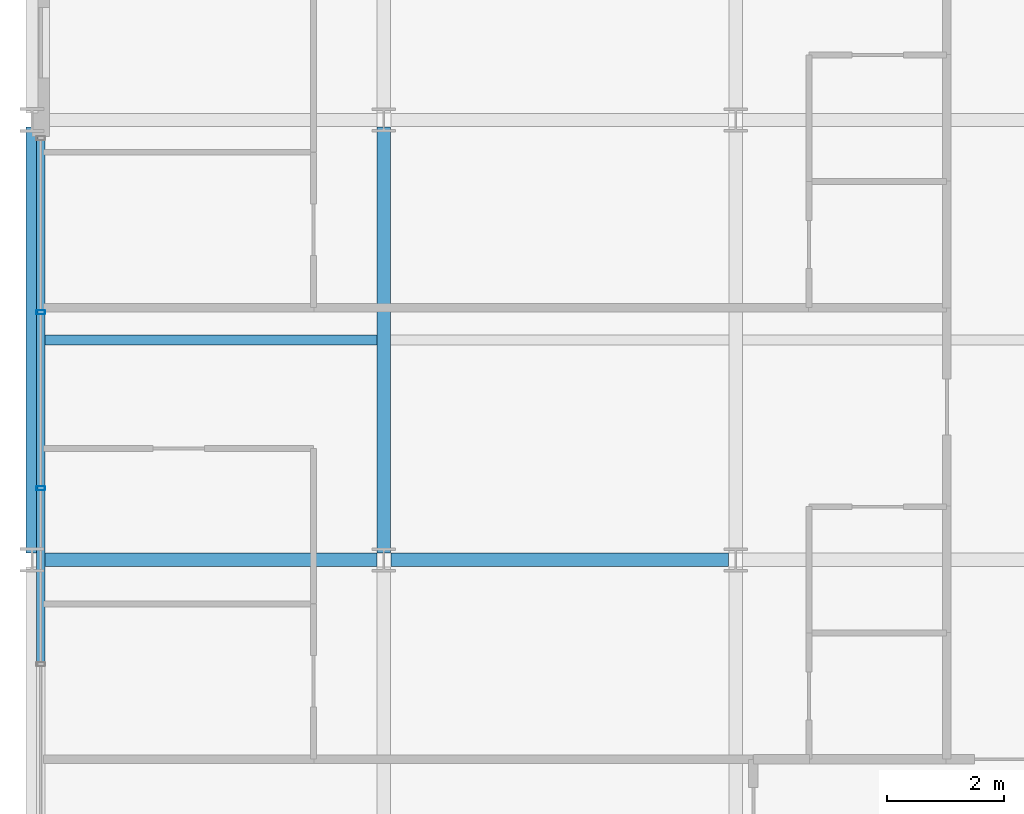
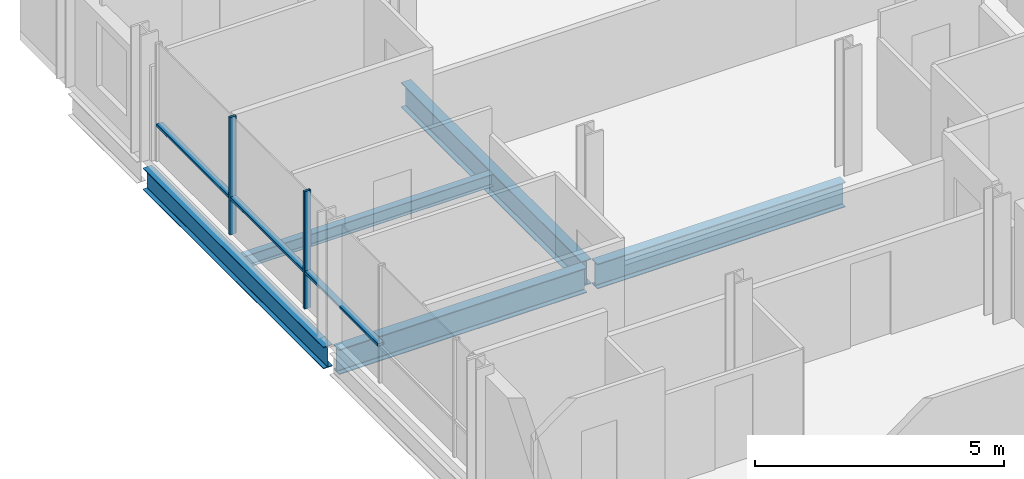
# One storey, part 7 of 41: 5 beams, 5 members, 1 element without a shape of its own.
"""IFC4 building model written with IfcOpenShell, lengths in metres."""

from ifc_helpers import new_model, si_unit, direction, frame, origin, origin_2d, place, context, subcontext, project, spatial, hollow_rectangle, i_section, extrude, material, layer, layer_set, material_profile, profile_set, type_object, element, aggregate, save


model = new_model("IFC4")

# Units and contexts
model_context = context("Model", 3, precision=1e-05, world=origin(), true_north=direction((0.0, 1.0)))
body_context = subcontext(model_context, "Body", "Model", "MODEL_VIEW")
ifc_project = project(units=[si_unit("LENGTHUNIT", "METRE"), si_unit("AREAUNIT", "SQUARE_METRE"), si_unit("VOLUMEUNIT", "CUBIC_METRE"), si_unit("PLANEANGLEUNIT", "RADIAN"), si_unit("MASSUNIT", "GRAM", prefix="KILO")], contexts=[model_context])

# Site, building, storey
site_placement = place(None, origin())
site = spatial("IfcSite", under=ifc_project, at=site_placement, CompositionType="ELEMENT")
building_placement = place(site_placement, origin())
building = spatial("IfcBuilding", under=site, at=building_placement, Name="Brevholm Reach", CompositionType="ELEMENT")
storey_placement = place(building_placement, frame((0.0, 0.0, 138.699951171875)))
storey = spatial("IfcBuildingStorey", under=building, at=storey_placement, Name="L41", CompositionType="ELEMENT", Elevation=138.699951171875)

# Beams
ifc_material_1 = material(Name="Structural Steel S355J2", Category="steel")
ifc_material_profile_1 = material_profile(ifc_material_1, i_section(OverallWidth=0.1650390625, OverallDepth=0.303466796875, WebThickness=0.006103515625, FlangeThickness=0.01025390625, FilletRadius=0.0087890625, at=origin_2d()), Name="UKB 305x165x40")
ifc_profile_set_1 = profile_set([ifc_material_profile_1], Name="Structural Steel S355J2")
beam_type_1 = type_object("IfcBeamType", Name="BM-B305", PredefinedType="BEAM", material=ifc_profile_set_1)
beam_1_placement = place(storey_placement, frame((0.104736328125, 19.75, -0.37158203125), z_axis=(1.0, 0.0, 0.0), x_axis=(0.0, 1.0, 0.0)))
element("IfcBeam", 1, at=beam_1_placement, inside=storey, type_object=beam_type_1, Name="L41 Composite Secondary Floor Beam", PredefinedType="BEAM", context=body_context, shape_type="SweptSolid", body=[
    extrude(i_section(OverallWidth=0.1650390625, OverallDepth=0.303466796875, WebThickness=0.006103515625, FlangeThickness=0.01025390625, FilletRadius=0.0087890625, at=origin_2d()), origin(), (0.0, 0.0, 1.0), 5.78076171875),
])
ifc_material_2 = material(Name="Structural Steel S355J2", Category="steel")
ifc_material_profile_2 = material_profile(ifc_material_2, i_section(OverallWidth=0.209228515625, OverallDepth=0.533203125, WebThickness=0.010009765625, FlangeThickness=0.015625, FilletRadius=0.0126953125, at=origin_2d()), Name="UKB 533x210x92")
ifc_profile_set_2 = profile_set([ifc_material_profile_2], Name="Structural Steel S355J2")
beam_type_2 = type_object("IfcBeamType", Name="BM-SP533", PredefinedType="SPANDREL", material=ifc_profile_set_2)
beam_2_placement = place(storey_placement, frame((0.0, 16.1201171875, -0.486572265625), z_axis=(0.0, 1.0, 0.0), x_axis=(-1.0, 0.0, 0.0)))
element("IfcBeam", 2, at=beam_2_placement, inside=storey, type_object=beam_type_2, Name="L41 SP-02 Framing Beam", PredefinedType="SPANDREL", context=body_context, shape_type="SweptSolid", body=[
    extrude(i_section(OverallWidth=0.209228515625, OverallDepth=0.533203125, WebThickness=0.010009765625, FlangeThickness=0.015625, FilletRadius=0.0126953125, at=origin_2d()), origin(), (0.0, 0.0, 1.0), 7.259765625),
])
ifc_material_3 = material(Name="Structural Steel S355J2", Category="steel")
ifc_material_profile_3 = material_profile(ifc_material_3, i_section(OverallWidth=0.22900390625, OverallDepth=0.6123046875, WebThickness=0.011962890625, FlangeThickness=0.01953125, FilletRadius=0.0126953125, at=origin_2d()), Name="UKB 610x229x125")
ifc_profile_set_3 = profile_set([ifc_material_profile_3], Name="Structural Steel S355J2")
beam_type_3 = type_object("IfcBeamType", Name="BM-SP610", PredefinedType="SPANDREL", material=ifc_profile_set_3)
for number, where, z_axis, x_axis, name in (
    (3, (0.1201171875, 16.0, -0.526123046875), (1.0, 0.0, 0.0), (0.0, 1.0, 0.0), "L41 SP-01 Framing Beam"),
    (4, (6.1201171875, 16.0, -0.526123046875), (1.0, 0.0, 0.0), (0.0, 1.0, 0.0), "L41 SP-01 Framing Beam"),
):
    element("IfcBeam", number, at=place(storey_placement, frame(where, z_axis=z_axis, x_axis=x_axis)), inside=storey, type_object=beam_type_3, Name=name, PredefinedType="SPANDREL", context=body_context, shape_type="SweptSolid", body=[
        extrude(i_section(OverallWidth=0.22900390625, OverallDepth=0.6123046875, WebThickness=0.011962890625, FlangeThickness=0.01953125, FilletRadius=0.0126953125, at=origin_2d()), origin(), (0.0, 0.0, 1.0), 5.759765625),
    ])
beam_3_placement = place(storey_placement, frame((6.0, 16.1201171875, -0.526123046875), z_axis=(0.0, 1.0, 0.0), x_axis=(-1.0, 0.0, 0.0)))
element("IfcBeam", 5, at=beam_3_placement, inside=storey, type_object=beam_type_3, Name="L41 SP-01 Framing Beam", PredefinedType="SPANDREL", context=body_context, shape_type="SweptSolid", body=[
    extrude(i_section(OverallWidth=0.22900390625, OverallDepth=0.6123046875, WebThickness=0.011962890625, FlangeThickness=0.01953125, FilletRadius=0.0126953125, at=origin_2d()), origin(), (0.0, 0.0, 1.0), 7.259765625),
])

# Curtain wall, members
ifc_material_4 = material(Name="Dark Anodised Aluminium 6063-T6 and Solar-Control Glass", Category="aluminium")
ifc_layer = layer(ifc_material_4, 0.14990234375)
ifc_layer_set = layer_set([ifc_layer], Name="Dark Anodised Aluminium 6063-T6 and Solar-Control Glass")
curtain_wall_type = type_object("IfcCurtainWallType", Name="CW-01", PredefinedType="NOTDEFINED", material=ifc_layer_set)
curtain_wall_placement = place(storey_placement, origin())
curtain_wall = element("IfcCurtainWall", 6, at=curtain_wall_placement, inside=storey, type_object=curtain_wall_type, Name="L41 Curtain Wall CW-01", PredefinedType="NOTDEFINED")
ifc_material_5 = material(Name="Dark Anodised Aluminium 6063-T6", Category="aluminium")
ifc_material_profile_4 = material_profile(ifc_material_5, hollow_rectangle(XDim=0.06494140625, YDim=0.14990234375, WallThickness=0.0048828125, InnerFilletRadius=0.0048828125, OuterFilletRadius=0.010009765625, at=origin_2d()), Name="RHS 150x65x5")
ifc_profile_set_4 = profile_set([ifc_material_profile_4], Name="Dark Anodised Aluminium 6063-T6")
member_type_1 = type_object("IfcMemberType", Name="CWM-150", PredefinedType="MULLION", material=ifc_profile_set_4)
member_1_placement = place(storey_placement, frame((0.14990234375, 20.219970703125, 0.0), z_axis=(0.0, 0.0, 1.0), x_axis=(0.0, -1.0, 0.0)))
member_1 = element("IfcMember", 7, at=member_1_placement, type_object=member_type_1, Name="CM-150 Mullion 2", PredefinedType="MULLION", context=body_context, shape_type="SweptSolid", body=[
    extrude(hollow_rectangle(XDim=0.06494140625, YDim=0.14990234375, WallThickness=0.0048828125, InnerFilletRadius=0.0048828125, OuterFilletRadius=0.010009765625, at=origin_2d()), origin(), (0.0, 0.0, 1.0), 2.880126953125),
])
member_2_placement = place(storey_placement, frame((0.14990234375, 17.219970703125, 0.0), z_axis=(0.0, 0.0, 1.0), x_axis=(0.0, -1.0, 0.0)))
member_2 = element("IfcMember", 8, at=member_2_placement, type_object=member_type_1, Name="CM-150 Mullion 3", PredefinedType="MULLION", context=body_context, shape_type="SweptSolid", body=[
    extrude(hollow_rectangle(XDim=0.06494140625, YDim=0.14990234375, WallThickness=0.0048828125, InnerFilletRadius=0.0048828125, OuterFilletRadius=0.010009765625, at=origin_2d()), origin(), (0.0, 0.0, 1.0), 2.880126953125),
])
ifc_material_6 = material(Name="Dark Anodised Aluminium 6063-T6", Category="aluminium")
ifc_material_profile_5 = material_profile(ifc_material_6, hollow_rectangle(XDim=0.06494140625, YDim=0.14990234375, WallThickness=0.0048828125, InnerFilletRadius=0.0048828125, OuterFilletRadius=0.010009765625, at=origin_2d()), Name="RHS 150x65x5")
ifc_profile_set_5 = profile_set([ifc_material_profile_5], Name="Dark Anodised Aluminium 6063-T6")
member_type_2 = type_object("IfcMemberType", Name="CWT-150", PredefinedType="NOTDEFINED", material=ifc_profile_set_5)
member_3_placement = place(storey_placement, frame((0.14990234375, 23.155029296875, 0.900146484375), z_axis=(0.0, -1.0, 0.0), x_axis=(0.0, 0.0, 1.0)))
member_3 = element("IfcMember", 9, at=member_3_placement, type_object=member_type_2, Name="CT-150 Transom 1.1", ObjectType="TRANSOM", PredefinedType="USERDEFINED", context=body_context, shape_type="SweptSolid", body=[
    extrude(hollow_rectangle(XDim=0.06494140625, YDim=0.14990234375, WallThickness=0.0048828125, InnerFilletRadius=0.0048828125, OuterFilletRadius=0.010009765625, at=origin_2d()), origin(), (0.0, 0.0, 1.0), 2.902587890625),
])
member_4_placement = place(storey_placement, frame((0.14990234375, 20.1875, 0.900146484375), z_axis=(0.0, -1.0, 0.0), x_axis=(0.0, 0.0, 1.0)))
member_4 = element("IfcMember", 10, at=member_4_placement, type_object=member_type_2, Name="CT-150 Transom 2.1", ObjectType="TRANSOM", PredefinedType="USERDEFINED", context=body_context, shape_type="SweptSolid", body=[
    extrude(hollow_rectangle(XDim=0.06494140625, YDim=0.14990234375, WallThickness=0.0048828125, InnerFilletRadius=0.0048828125, OuterFilletRadius=0.010009765625, at=origin_2d()), origin(), (0.0, 0.0, 1.0), 2.93505859375),
])
member_5_placement = place(storey_placement, frame((0.14990234375, 17.1875, 0.900146484375), z_axis=(0.0, -1.0, 0.0), x_axis=(0.0, 0.0, 1.0)))
member_5 = element("IfcMember", 11, at=member_5_placement, type_object=member_type_2, Name="CT-150 Transom 3.1", ObjectType="TRANSOM", PredefinedType="USERDEFINED", context=body_context, shape_type="SweptSolid", body=[
    extrude(hollow_rectangle(XDim=0.06494140625, YDim=0.14990234375, WallThickness=0.0048828125, InnerFilletRadius=0.0048828125, OuterFilletRadius=0.010009765625, at=origin_2d()), origin(), (0.0, 0.0, 1.0), 2.93505859375),
])
aggregate(curtain_wall, [member_1, member_2, member_3, member_4, member_5])

save(model, "model.ifc")
